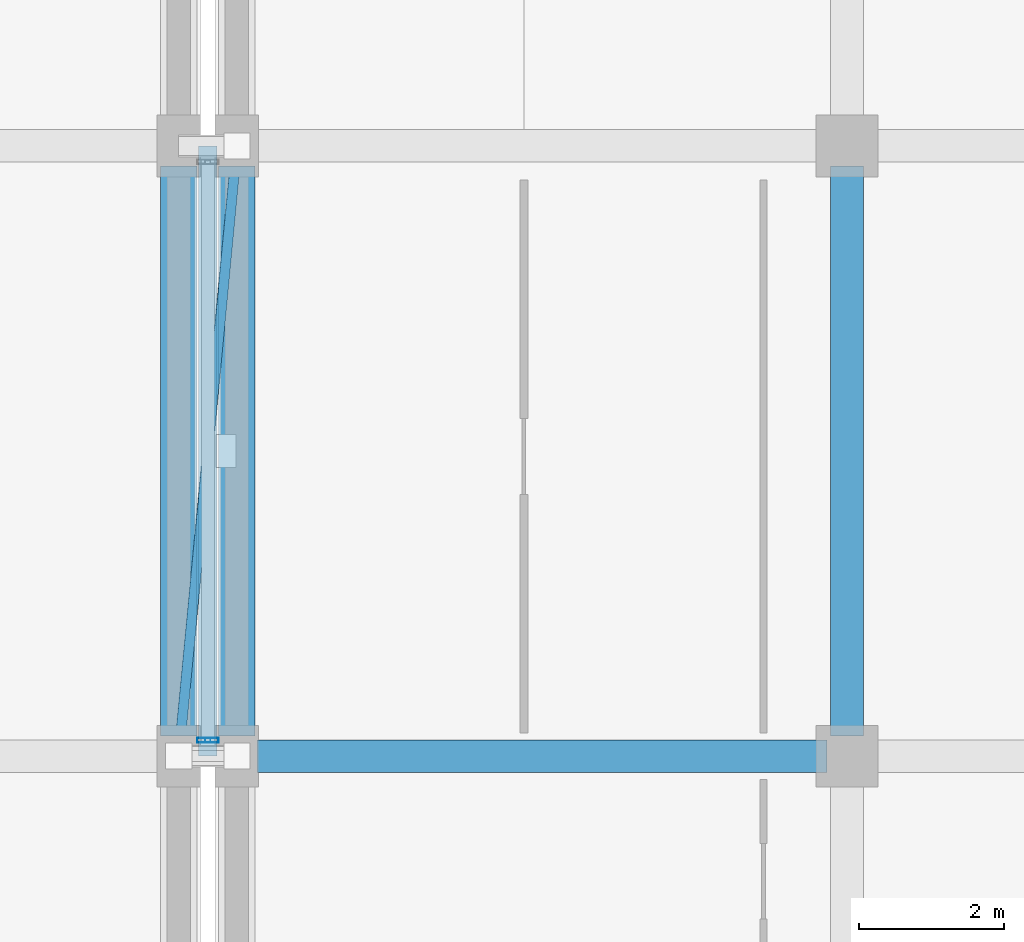
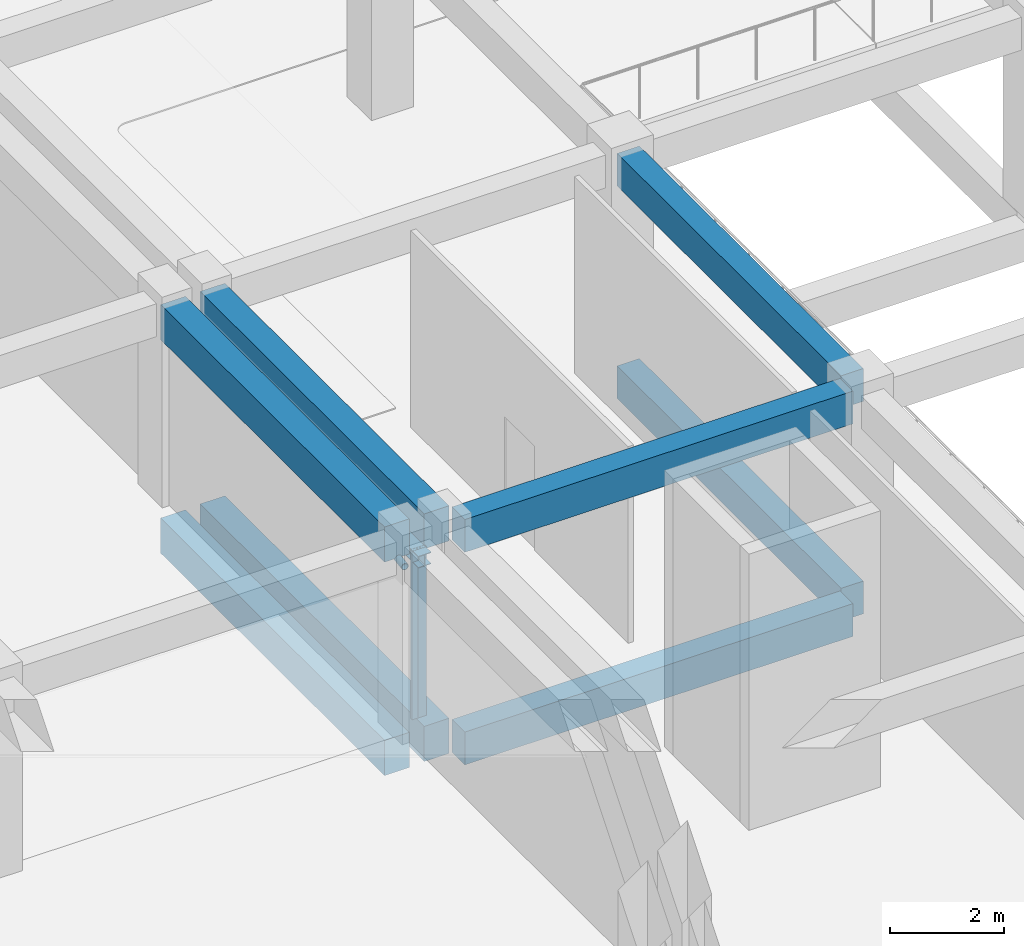
# One storey, part 30 of 129: 9 beams, 3 members, 1 element without a shape of its own.
"""IFC4 building model written with IfcOpenShell, lengths in metres."""

from ifc_helpers import new_model, si_unit, direction, frame, origin, origin_2d, place, context, subcontext, project, spatial, rectangle, hollow_rectangle, hollow_circle, i_section, extrude, material, layer, layer_set, material_profile, profile_set, type_object, element, aggregate, save


model = new_model("IFC4")

# Units and contexts
model_context = context("Model", 3, precision=1e-05, world=origin(), true_north=direction((0.0, 1.0)))
body_context = subcontext(model_context, "Body", "Model", "MODEL_VIEW")
ifc_project = project(units=[si_unit("LENGTHUNIT", "METRE"), si_unit("AREAUNIT", "SQUARE_METRE"), si_unit("VOLUMEUNIT", "CUBIC_METRE"), si_unit("PLANEANGLEUNIT", "RADIAN"), si_unit("MASSUNIT", "GRAM", prefix="KILO")], contexts=[model_context])

# Site, building, storey
site_placement = place(None, origin())
site = spatial("IfcSite", under=ifc_project, at=site_placement, CompositionType="ELEMENT")
building_placement = place(site_placement, origin())
building = spatial("IfcBuilding", under=site, at=building_placement, Name="Xazarin Passage Department Store", CompositionType="ELEMENT")
storey_placement = place(building_placement, frame((0.0, 0.0, 9.89990234375)))
storey = spatial("IfcBuildingStorey", under=building, at=storey_placement, Name="L02", CompositionType="ELEMENT", Elevation=9.89990234375)

# Curtain wall, members
ifc_material_1 = material(Name="Bronze anodised aluminium", Category="aluminium")
ifc_layer = layer(ifc_material_1, 0.14990234375)
ifc_layer_set = layer_set([ifc_layer], Name="Bronze anodised aluminium")
curtain_wall_type = type_object("IfcCurtainWallType", Name="ARC-CW-BRG1", PredefinedType="NOTDEFINED", material=ifc_layer_set)
curtain_wall_placement = place(storey_placement, origin())
curtain_wall = element("IfcCurtainWall", 1, at=curtain_wall_placement, inside=storey, type_object=curtain_wall_type, Name="L02 BR-V2S-V3 Bridge Curtain Wall 1", PredefinedType="NOTDEFINED")
ifc_material_profile_1 = material_profile(ifc_material_1, hollow_rectangle(XDim=0.06494140625, YDim=0.179931640625, WallThickness=0.00390625, at=origin_2d()), Name="ALU 65x180")
ifc_profile_set_1 = profile_set([ifc_material_profile_1], Name="Bronze anodised aluminium")
member_type_1 = type_object("IfcMemberType", Name="ARC-CWM-65x180", PredefinedType="MULLION", material=ifc_profile_set_1)
member_1_placement = place(storey_placement, frame((67.54248046875, 25.419921875, 0.0), z_axis=(0.0, 0.0, 1.0), x_axis=(0.0, 1.0, 0.0)))
member_1 = element("IfcMember", 2, at=member_1_placement, type_object=member_type_1, Name="CW7 mullion 1", PredefinedType="MULLION", context=body_context, shape_type="SweptSolid", body=[
    extrude(hollow_rectangle(XDim=0.06494140625, YDim=0.179931640625, WallThickness=0.00390625, at=origin_2d()), origin(), (0.0, 0.0, 1.0), 3.60009765625),
])
member_2_placement = place(storey_placement, frame((67.657470703125, 25.419921875, 0.0), z_axis=(0.0, 0.0, 1.0), x_axis=(0.0, 1.0, 0.0)))
member_2 = element("IfcMember", 3, at=member_2_placement, type_object=member_type_1, Name="CW7 mullion 2", PredefinedType="MULLION", context=body_context, shape_type="SweptSolid", body=[
    extrude(hollow_rectangle(XDim=0.06494140625, YDim=0.179931640625, WallThickness=0.00390625, at=origin_2d()), origin(), (0.0, 0.0, 1.0), 3.60009765625),
])
aggregate(curtain_wall, [member_1, member_2])

# Beams
ifc_material_2 = material(Name="Steel S355", Category="steel")
ifc_material_profile_2 = material_profile(ifc_material_2, i_section(OverallWidth=0.260009765625, OverallDepth=0.25, WebThickness=0.007568359375, FlangeThickness=0.012451171875, FilletRadius=0.02392578125, at=origin_2d()), Name="HEA 260")
ifc_profile_set_2 = profile_set([ifc_material_profile_2], Name="Steel S355")
beam_type_1 = type_object("IfcBeamType", Name="STR-BM-CAN260", PredefinedType="BEAM", material=ifc_profile_set_2)
beam_placement = place(storey_placement, frame((67.60009765625, 25.199951171875, 3.47509765625), z_axis=(0.0, 1.0, 0.0), x_axis=(-1.0, 0.0, 0.0)))
element("IfcBeam", 4, at=beam_placement, inside=storey, type_object=beam_type_1, Name="L02 BR-V2S-V3 Bridge Roof Mid Beam", PredefinedType="BEAM", context=body_context, shape_type="SweptSolid", body=[
    extrude(i_section(OverallWidth=0.260009765625, OverallDepth=0.25, WebThickness=0.007568359375, FlangeThickness=0.012451171875, FilletRadius=0.02392578125, at=origin_2d()), origin(), (0.0, 0.0, 1.0), 8.400146484375),
])
ifc_material_3 = material(Name="Concrete C35/45", Category="concrete")
ifc_material_profile_3 = material_profile(ifc_material_3, rectangle(XDim=0.449951171875, YDim=0.699951171875, at=origin_2d()), Name="RC 450x700")
ifc_profile_set_3 = profile_set([ifc_material_profile_3], Name="Concrete C35/45")
beam_type_2 = type_object("IfcBeamType", Name="STR-BM-G450x700", PredefinedType="BEAM", material=ifc_profile_set_3)
for number, where, z_axis, x_axis, name in (
    (5, (68.280029296875, 25.199951171875, -0.64990234375), (1.0, 0.0, 0.0), (0.0, 1.0, 0.0), "L02 Grid Beam D/10-11"),
    (6, (76.39990234375, 25.47998046875, -0.64990234375), (0.0, 1.0, 0.0), (-1.0, 0.0, 0.0), "L02 Grid Beam 11/D-E"),
    (7, (68.280029296875, 25.199951171875, 3.89013671875), (1.0, 0.0, 0.0), (0.0, 1.0, 0.0), "L02 Grid Beam D/10-11"),
    (8, (76.39990234375, 25.47998046875, 3.89013671875), (0.0, 1.0, 0.0), (-1.0, 0.0, 0.0), "L02 Grid Beam 11/D-E"),
):
    element("IfcBeam", number, at=place(storey_placement, frame(where, z_axis=z_axis, x_axis=x_axis)), inside=storey, type_object=beam_type_2, Name=name, PredefinedType="BEAM", context=body_context, shape_type="SweptSolid", body=[
        extrude(rectangle(XDim=0.449951171875, YDim=0.699951171875, at=origin_2d()), origin(), (0.0, 0.0, 1.0), 7.840087890625),
    ])
ifc_material_profile_4 = material_profile(ifc_material_3, rectangle(XDim=0.5, YDim=0.75, at=origin_2d()), Name="RC 500x750")
ifc_profile_set_4 = profile_set([ifc_material_profile_4], Name="Concrete C35/45")
beam_type_3 = type_object("IfcBeamType", Name="STR-BM-SP500x750", PredefinedType="SPANDREL", material=ifc_profile_set_4)
for number, where, z_axis, x_axis, name in (
    (9, (68.0, 25.47998046875, -0.6748046875), (0.0, 1.0, 0.0), (-1.0, 0.0, 0.0), "L02 Grid Beam 10/D-E"),
    (10, (68.0, 25.47998046875, 3.864990234375), (0.0, 1.0, 0.0), (-1.0, 0.0, 0.0), "L02 Grid Beam 10/D-E"),
    (11, (67.199951171875, 25.47998046875, -0.69482421875), (0.0, 1.0, 0.0), (-1.0, 0.0, 0.0), "L02 Grid Beam 9/D-E"),
    (12, (67.199951171875, 25.47998046875, 3.864990234375), (0.0, 1.0, 0.0), (-1.0, 0.0, 0.0), "L02 Grid Beam 9/D-E"),
):
    element("IfcBeam", number, at=place(storey_placement, frame(where, z_axis=z_axis, x_axis=x_axis)), inside=storey, type_object=beam_type_3, Name=name, PredefinedType="SPANDREL", context=body_context, shape_type="SweptSolid", body=[
        extrude(rectangle(XDim=0.5, YDim=0.75, at=origin_2d()), origin(), (0.0, 0.0, 1.0), 7.840087890625),
    ])

# Member
ifc_material_profile_5 = material_profile(ifc_material_2, hollow_circle(Radius=0.06982421875, WallThickness=0.008056640625, at=origin_2d()), Name="CHS 139.7x8")
ifc_profile_set_5 = profile_set([ifc_material_profile_5], Name="Steel S355")
member_type_2 = type_object("IfcMemberType", Name="STR-MEM-BR140", PredefinedType="BRACE", material=ifc_profile_set_5)
member_3_placement = place(storey_placement, frame((67.199951171875, 25.199951171875, 3.47509765625), z_axis=(0.094813188749, 0.995495082479, 0.0), x_axis=(-0.995495082479, 0.094813188749, 0.0)))
element("IfcMember", 13, at=member_3_placement, inside=storey, type_object=member_type_2, Name="L02 BR-V2S-V3 Bridge Roof Wind Diagonal", PredefinedType="BRACE", context=body_context, shape_type="SweptSolid", body=[
    extrude(hollow_circle(Radius=0.06982421875, WallThickness=0.008056640625, at=origin_2d()), origin(), (0.0, 0.0, 1.0), 8.438232421875),
])

save(model, "model.ifc")
